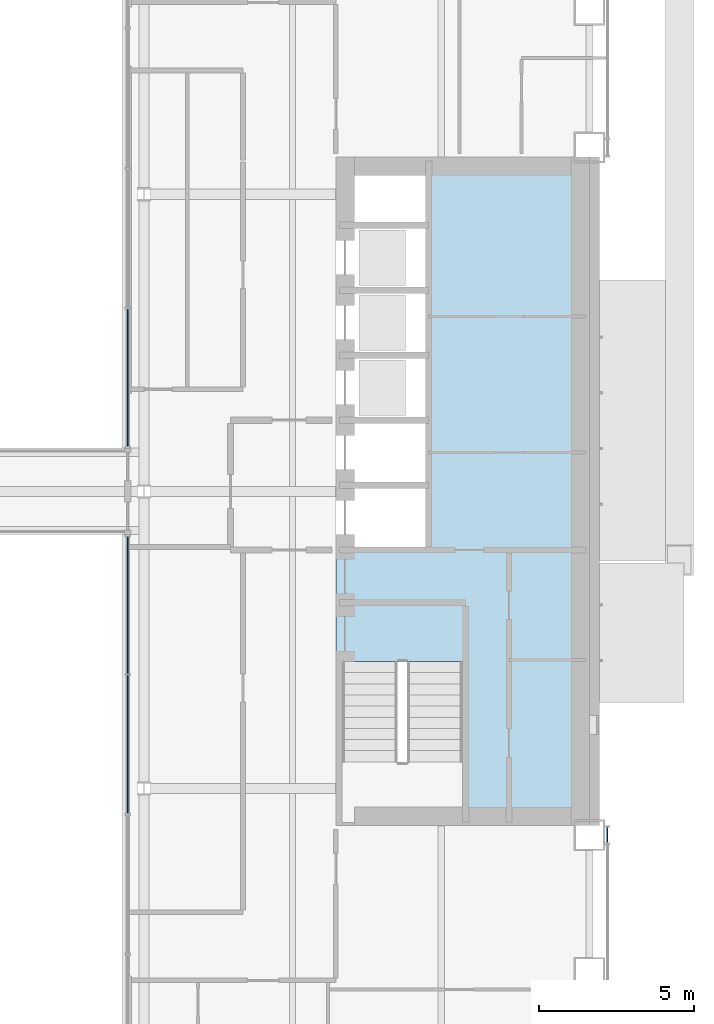
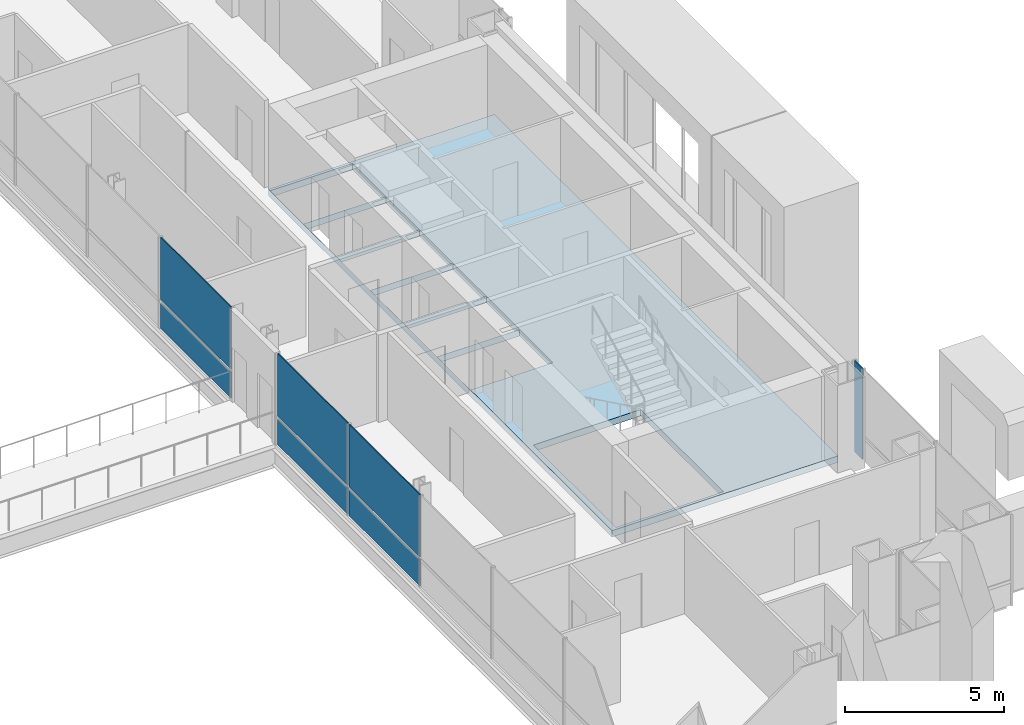
# One storey, part 14 of 26: 7 plates, 1 slab, 3 elements without a shape of their own.
"""IFC4 building model written with IfcOpenShell, lengths in metres."""

from ifc_helpers import new_model, si_unit, direction, frame, origin, origin_2d, place, context, subcontext, project, spatial, polyline, rectangle, outline, extrude, material, layer, layer_set, type_object, element, aggregate, save


model = new_model("IFC4")

# Units and contexts
model_context = context("Model", 3, precision=1e-05, world=origin(), true_north=direction((0.0, 1.0)))
body_context = subcontext(model_context, "Body", "Model", "MODEL_VIEW")
ifc_project = project(units=[si_unit("LENGTHUNIT", "METRE"), si_unit("AREAUNIT", "SQUARE_METRE"), si_unit("VOLUMEUNIT", "CUBIC_METRE"), si_unit("PLANEANGLEUNIT", "RADIAN"), si_unit("MASSUNIT", "GRAM", prefix="KILO")], contexts=[model_context])

# Site, building, storey
site_placement = place(None, origin())
site = spatial("IfcSite", under=ifc_project, at=site_placement, CompositionType="ELEMENT")
building_placement = place(site_placement, origin())
building = spatial("IfcBuilding", under=site, at=building_placement, Name="Cobrizo Arcos Hotel Tower", CompositionType="ELEMENT")
storey_placement = place(building_placement, frame((0.0, 0.0, 67.0)))
storey = spatial("IfcBuildingStorey", under=building, at=storey_placement, Name="L15", CompositionType="ELEMENT", Elevation=67.0)

# Curtain wall, plate
ifc_material_1 = material(Name="Aluminium 6063-T6 anodised bronze", Category="aluminium")
curtain_wall_type_1 = type_object("IfcCurtainWallType", Name="CW-A guest facade", PredefinedType="NOTDEFINED", material=ifc_material_1)
curtain_wall_1_placement = place(storey_placement, origin())
curtain_wall_1 = element("IfcCurtainWall", 1, at=curtain_wall_1_placement, inside=storey, type_object=curtain_wall_type_1, Name="CW-A L15 E face", PredefinedType="NOTDEFINED")
ifc_material_2 = material(Name="Aluminium composite panel pale metal", Category="aluminium")
ifc_layer_1 = layer(ifc_material_2, 0.0400390625)
ifc_layer_set_1 = layer_set([ifc_layer_1], Name="CW-A spandrel panel")
plate_type_1 = type_object("IfcPlateType", Name="CW-A spandrel panel", PredefinedType="CURTAIN_PANEL", material=ifc_layer_set_1)
plate_1_placement = place(storey_placement, frame((24.574951171875, -11.109375, 0.0), z_axis=(0.0, 0.0, 1.0), x_axis=(0.0, 1.0, 0.0)))
plate_1 = element("IfcPlate", 2, at=plate_1_placement, type_object=plate_type_1, Name="CW-A spandrel panel 663", PredefinedType="CURTAIN_PANEL", context=body_context, shape_type="SweptSolid", body=[
    extrude(rectangle(XDim=0.498779296875, YDim=0.0400390625, at=origin_2d()), origin(), (0.0, 0.0, 1.0), 3.5),
])
aggregate(curtain_wall_1, [plate_1])

# Curtain wall, plates
curtain_wall_type_2 = type_object("IfcCurtainWallType", Name="CW-F void screen", PredefinedType="NOTDEFINED", material=ifc_material_1)
curtain_wall_2_placement = place(storey_placement, origin())
curtain_wall_2 = element("IfcCurtainWall", 3, at=curtain_wall_2_placement, inside=storey, type_object=curtain_wall_type_2, Name="CW-F L15 void screen A", PredefinedType="NOTDEFINED")
ifc_material_3 = material(Name="Glass clear laminated low-e", Category="glass")
ifc_layer_2 = layer(ifc_material_3, 0.0400390625)
ifc_layer_set_2 = layer_set([ifc_layer_2], Name="CW-F glass panel")
plate_type_2 = type_object("IfcPlateType", Name="CW-F glass panel", PredefinedType="CURTAIN_PANEL", material=ifc_layer_set_2)
plate_2_placement = place(storey_placement, frame((9.074951171875, -8.179931640625, 0.0), z_axis=(0.0, 0.0, 1.0), x_axis=(0.0, 1.0, 0.0)))
plate_2 = element("IfcPlate", 4, at=plate_2_placement, type_object=plate_type_2, Name="CW-F glass panel 2471", PredefinedType="CURTAIN_PANEL", context=body_context, shape_type="SweptSolid", body=[
    extrude(rectangle(XDim=4.4599609375, YDim=0.0400390625, at=origin_2d()), origin(), (0.0, 0.0, 1.0), 0.989990234375),
])
plate_3_placement = place(storey_placement, frame((9.074951171875, -8.179931640625, 1.10986328125), z_axis=(0.0, 0.0, 1.0), x_axis=(0.0, 1.0, 0.0)))
plate_3 = element("IfcPlate", 5, at=plate_3_placement, type_object=plate_type_2, Name="CW-F glass panel 2471", PredefinedType="CURTAIN_PANEL", context=body_context, shape_type="SweptSolid", body=[
    extrude(rectangle(XDim=4.4599609375, YDim=0.0400390625, at=origin_2d()), origin(), (0.0, 0.0, 1.0), 2.389892578125),
])
plate_4_placement = place(storey_placement, frame((9.074951171875, -3.675048828125, 0.0), z_axis=(0.0, 0.0, 1.0), x_axis=(0.0, 1.0, 0.0)))
plate_4 = element("IfcPlate", 6, at=plate_4_placement, type_object=plate_type_2, Name="CW-F glass panel 2472", PredefinedType="CURTAIN_PANEL", context=body_context, shape_type="SweptSolid", body=[
    extrude(rectangle(XDim=4.429931640625, YDim=0.0400390625, at=origin_2d()), origin(), (0.0, 0.0, 1.0), 0.989990234375),
])
plate_5_placement = place(storey_placement, frame((9.074951171875, -3.675048828125, 1.10986328125), z_axis=(0.0, 0.0, 1.0), x_axis=(0.0, 1.0, 0.0)))
plate_5 = element("IfcPlate", 7, at=plate_5_placement, type_object=plate_type_2, Name="CW-F glass panel 2472", PredefinedType="CURTAIN_PANEL", context=body_context, shape_type="SweptSolid", body=[
    extrude(rectangle(XDim=4.429931640625, YDim=0.0400390625, at=origin_2d()), origin(), (0.0, 0.0, 1.0), 2.389892578125),
])
aggregate(curtain_wall_2, [plate_2, plate_3, plate_4, plate_5])

curtain_wall_3_placement = place(storey_placement, origin())
curtain_wall_3 = element("IfcCurtainWall", 8, at=curtain_wall_3_placement, inside=storey, type_object=curtain_wall_type_2, Name="CW-F L15 void screen A", PredefinedType="NOTDEFINED")
plate_6_placement = place(storey_placement, frame((9.074951171875, 3.675048828125, 0.0), z_axis=(0.0, 0.0, 1.0), x_axis=(0.0, 1.0, 0.0)))
plate_6 = element("IfcPlate", 9, at=plate_6_placement, type_object=plate_type_2, Name="CW-F glass panel 2473", PredefinedType="CURTAIN_PANEL", context=body_context, shape_type="SweptSolid", body=[
    extrude(rectangle(XDim=4.429931640625, YDim=0.0400390625, at=origin_2d()), origin(), (0.0, 0.0, 1.0), 0.989990234375),
])
plate_7_placement = place(storey_placement, frame((9.074951171875, 3.675048828125, 1.10986328125), z_axis=(0.0, 0.0, 1.0), x_axis=(0.0, 1.0, 0.0)))
plate_7 = element("IfcPlate", 10, at=plate_7_placement, type_object=plate_type_2, Name="CW-F glass panel 2473", PredefinedType="CURTAIN_PANEL", context=body_context, shape_type="SweptSolid", body=[
    extrude(rectangle(XDim=4.429931640625, YDim=0.0400390625, at=origin_2d()), origin(), (0.0, 0.0, 1.0), 2.389892578125),
])
aggregate(curtain_wall_3, [plate_6, plate_7])

# Slab
ifc_material_4 = material(Name="Concrete f'c 60 MPa", Category="concrete")
ifc_layer_3 = layer(ifc_material_4, 0.25)
ifc_layer_set_3 = layer_set([ifc_layer_3], Name="RC core floor slab 250 f'c 60")
slab_type = type_object("IfcSlabType", Name="RC core floor slab 250 f'c 60", PredefinedType="FLOOR", material=ifc_layer_set_3)
slab_placement = place(storey_placement, frame((0.0, 0.0, -0.25)))
element("IfcSlab", 11, at=slab_placement, inside=storey, type_object=slab_type, Name="Core floor slab CS3, east core, L15", PredefinedType="FLOOR", context=body_context, shape_type="SweptSolid", body=[
    extrude(outline(polyline([(15.800048828125, 10.800048828125), (24.0, 10.800048828125), (24.0, -10.800048828125), (15.800048828125, -10.800048828125), (15.800048828125, 10.800048828125)]), holes=[polyline([(19.89794921875, -10.697998046875), (19.89794921875, -5.501953125), (16.001953125, -5.501953125), (16.001953125, -10.697998046875), (19.89794921875, -10.697998046875)]), polyline([(15.802001953125, 0.197998046875), (15.802001953125, -1.89794921875), (18.798095703125, -1.89794921875), (18.798095703125, 0.197998046875), (15.802001953125, 0.197998046875)]), polyline([(18.798095703125, 2.298095703125), (15.802001953125, 2.298095703125), (15.802001953125, 0.201904296875), (18.798095703125, 0.201904296875), (18.798095703125, 2.298095703125)]), polyline([(18.798095703125, 4.39794921875), (15.802001953125, 4.39794921875), (15.802001953125, 2.302001953125), (18.798095703125, 2.302001953125), (18.798095703125, 4.39794921875)]), polyline([(15.802001953125, 6.498046875), (15.802001953125, 4.402099609375), (18.798095703125, 4.402099609375), (18.798095703125, 6.498046875), (15.802001953125, 6.498046875)]), polyline([(18.798095703125, 8.597900390625), (15.802001953125, 8.597900390625), (15.802001953125, 6.501953125), (18.798095703125, 6.501953125), (18.798095703125, 8.597900390625)]), polyline([(18.798095703125, 10.697998046875), (15.802001953125, 10.697998046875), (15.802001953125, 8.60205078125), (18.798095703125, 8.60205078125), (18.798095703125, 10.697998046875)])]), origin(), (0.0, 0.0, 1.0), 0.25),
])

save(model, "model.ifc")
